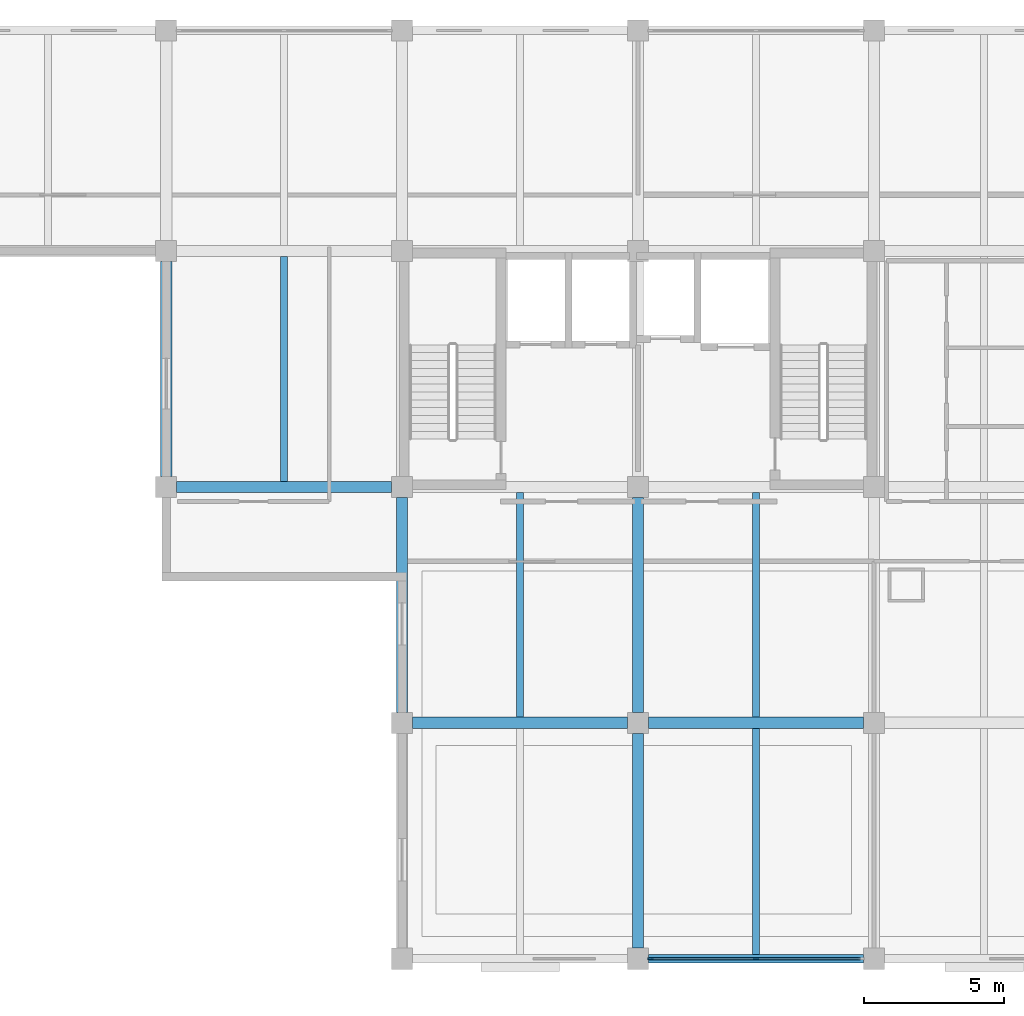
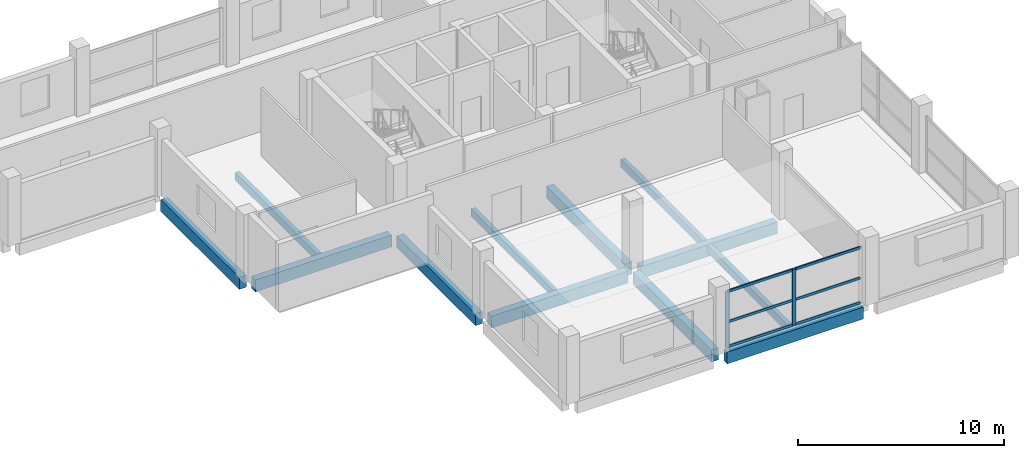
# One storey, part 2 of 9: 12 beams, 8 members, 1 element without a shape of its own.
"""IFC4 building model written with IfcOpenShell, lengths in metres."""

from ifc_helpers import new_model, si_unit, direction, frame, origin, origin_2d, place, context, subcontext, project, spatial, rectangle, extrude, material, material_profile, profile_set, type_object, element, aggregate, save


model = new_model("IFC4")

# Units and contexts
model_context = context("Model", 3, precision=1e-05, world=origin(), true_north=direction((0.0, 1.0)))
body_context = subcontext(model_context, "Body", "Model", "MODEL_VIEW")
ifc_project = project(units=[si_unit("LENGTHUNIT", "METRE"), si_unit("AREAUNIT", "SQUARE_METRE"), si_unit("VOLUMEUNIT", "CUBIC_METRE"), si_unit("PLANEANGLEUNIT", "RADIAN"), si_unit("MASSUNIT", "GRAM", prefix="KILO")], contexts=[model_context])

# Site, building, storey
site_placement = place(None, origin())
site = spatial("IfcSite", under=ifc_project, at=site_placement, CompositionType="ELEMENT")
building_placement = place(site_placement, origin())
building = spatial("IfcBuilding", under=site, at=building_placement, Name="Brinegate Botanical Conservatory", CompositionType="ELEMENT")
storey_placement = place(building_placement, frame((0.0, 0.0, 48.60009765625)))
storey = spatial("IfcBuildingStorey", under=building, at=storey_placement, Name="L12", CompositionType="ELEMENT", Elevation=48.60009765625)

# Beams
ifc_material_1 = material(Name="Concrete C40/50", Category="concrete")
ifc_material_profile_1 = material_profile(ifc_material_1, rectangle(XDim=0.39990234375, YDim=0.699951171875, at=origin_2d()), Name="RC BM 400x700")
ifc_profile_set_1 = profile_set([ifc_material_profile_1], Name="Concrete C40/50")
beam_type_1 = type_object("IfcBeamType", Name="Beam_BM-T2", PredefinedType="BEAM", material=ifc_profile_set_1)
beam_1_placement = place(storey_placement, frame((139.175048828125, 86.800048828125, -0.5400390625), z_axis=(1.0, 0.0, 0.0), x_axis=(0.0, 1.0, 0.0)))
element("IfcBeam", 1, at=beam_1_placement, inside=storey, type_object=beam_type_1, Name="Beam BM-T2 L12 L:18-19", PredefinedType="BEAM", context=body_context, shape_type="SweptSolid", body=[
    extrude(rectangle(XDim=0.39990234375, YDim=0.699951171875, at=origin_2d()), origin(), (0.0, 0.0, 1.0), 7.64990234375),
])
for number, where, z_axis, x_axis, name in (
    (2, (147.574951171875, 86.800048828125, -0.5400390625), (1.0, 0.0, 0.0), (0.0, 1.0, 0.0), "Beam BM-T2 L12 L:19-20"),
    (3, (130.77490234375, 95.199951171875, -0.5400390625), (1.0, 0.0, 0.0), (0.0, 1.0, 0.0), "Beam BM-T2 L12 M:17-18"),
    (4, (130.39990234375, 95.574951171875, -0.5400390625), (0.0, 1.0, 0.0), (-1.0, 0.0, 0.0), "Beam BM-T2 L12 17:M-N"),
):
    element("IfcBeam", number, at=place(storey_placement, frame(where, z_axis=z_axis, x_axis=x_axis)), inside=storey, type_object=beam_type_1, Name=name, PredefinedType="BEAM", context=body_context, shape_type="SweptSolid", body=[
        extrude(rectangle(XDim=0.39990234375, YDim=0.699951171875, at=origin_2d()), origin(), (0.0, 0.0, 1.0), 7.650146484375),
    ])
beam_2_placement = place(storey_placement, frame((138.800048828125, 87.175048828125, -0.5400390625), z_axis=(0.0, 1.0, 0.0), x_axis=(-1.0, 0.0, 0.0)))
element("IfcBeam", 5, at=beam_2_placement, inside=storey, type_object=beam_type_1, Name="Beam BM-T2 L12 18:L-M", PredefinedType="BEAM", context=body_context, shape_type="SweptSolid", body=[
    extrude(rectangle(XDim=0.39990234375, YDim=0.699951171875, at=origin_2d()), origin(), (0.0, 0.0, 1.0), 7.64990234375),
])
beam_3_placement = place(storey_placement, frame((147.199951171875, 78.77490234375, -0.5400390625), z_axis=(0.0, 1.0, 0.0), x_axis=(-1.0, 0.0, 0.0)))
element("IfcBeam", 6, at=beam_3_placement, inside=storey, type_object=beam_type_1, Name="Beam BM-T2 L12 19:K-L", PredefinedType="BEAM", context=body_context, shape_type="SweptSolid", body=[
    extrude(rectangle(XDim=0.39990234375, YDim=0.699951171875, at=origin_2d()), origin(), (0.0, 0.0, 1.0), 7.650146484375),
])
beam_4_placement = place(storey_placement, frame((147.199951171875, 87.175048828125, -0.5400390625), z_axis=(0.0, 1.0, 0.0), x_axis=(-1.0, 0.0, 0.0)))
element("IfcBeam", 7, at=beam_4_placement, inside=storey, type_object=beam_type_1, Name="Beam BM-T2 L12 19:L-M", PredefinedType="BEAM", context=body_context, shape_type="SweptSolid", body=[
    extrude(rectangle(XDim=0.39990234375, YDim=0.699951171875, at=origin_2d()), origin(), (0.0, 0.0, 1.0), 7.64990234375),
])
ifc_material_profile_2 = material_profile(ifc_material_1, rectangle(XDim=0.25, YDim=0.449951171875, at=origin_2d()), Name="RC JST 250x450")
ifc_profile_set_2 = profile_set([ifc_material_profile_2], Name="Concrete C40/50")
beam_type_2 = type_object("IfcBeamType", Name="Beam_JS-C3", PredefinedType="JOIST", material=ifc_profile_set_2)
for number, where, z_axis, x_axis, name in (
    (8, (134.60009765625, 95.39990234375, -0.4150390625), (0.0, 1.0, 0.0), (-1.0, 0.0, 0.0), "Floor joist JS-C3 L12 bay 17.12"),
    (9, (143.0, 87.0, -0.4150390625), (0.0, 1.0, 0.0), (-1.0, 0.0, 0.0), "Floor joist JS-C3 L12 bay 18.11"),
):
    element("IfcBeam", number, at=place(storey_placement, frame(where, z_axis=z_axis, x_axis=x_axis)), inside=storey, type_object=beam_type_2, Name=name, PredefinedType="JOIST", context=body_context, shape_type="SweptSolid", body=[
        extrude(rectangle(XDim=0.25, YDim=0.449951171875, at=origin_2d()), origin(), (0.0, 0.0, 1.0), 8.0),
    ])
beam_5_placement = place(storey_placement, frame((151.39990234375, 78.550048828125, -0.4150390625), z_axis=(0.0, 1.0, 0.0), x_axis=(-1.0, 0.0, 0.0)))
element("IfcBeam", 10, at=beam_5_placement, inside=storey, type_object=beam_type_2, Name="Floor joist JS-C3 L12 bay 19.10", PredefinedType="JOIST", context=body_context, shape_type="SweptSolid", body=[
    extrude(rectangle(XDim=0.25, YDim=0.449951171875, at=origin_2d()), origin(), (0.0, 0.0, 1.0), 8.050048828125),
])
beam_6_placement = place(storey_placement, frame((151.39990234375, 87.0, -0.4150390625), z_axis=(0.0, 1.0, 0.0), x_axis=(-1.0, 0.0, 0.0)))
element("IfcBeam", 11, at=beam_6_placement, inside=storey, type_object=beam_type_2, Name="Floor joist JS-C3 L12 bay 19.11", PredefinedType="JOIST", context=body_context, shape_type="SweptSolid", body=[
    extrude(rectangle(XDim=0.25, YDim=0.449951171875, at=origin_2d()), origin(), (0.0, 0.0, 1.0), 8.0),
])
ifc_material_profile_3 = material_profile(ifc_material_1, rectangle(XDim=0.300048828125, YDim=0.699951171875, at=origin_2d()), Name="RC SPN 300x700")
ifc_profile_set_3 = profile_set([ifc_material_profile_3], Name="Concrete C40/50")
beam_type_3 = type_object("IfcBeamType", Name="Beam_SP-02", PredefinedType="SPANDREL", material=ifc_profile_set_3)
beam_7_placement = place(storey_placement, frame((147.574951171875, 78.39990234375, -0.5400390625), z_axis=(1.0, 0.0, 0.0), x_axis=(0.0, 1.0, 0.0)))
element("IfcBeam", 12, at=beam_7_placement, inside=storey, type_object=beam_type_3, Name="Beam SP-02 L12 K:19-20", PredefinedType="SPANDREL", context=body_context, shape_type="SweptSolid", body=[
    extrude(rectangle(XDim=0.300048828125, YDim=0.699951171875, at=origin_2d()), origin(), (0.0, 0.0, 1.0), 7.650146484375),
])

# Curtain wall, members
ifc_material_2 = material(Name="Thermally broken anodised aluminium AW-6063-T6", Category="aluminium")
curtain_wall_type = type_object("IfcCurtainWallType", Name="CW_CW-TW1", PredefinedType="USERDEFINED", material=ifc_material_2)
curtain_wall_placement = place(storey_placement, origin())
curtain_wall = element("IfcCurtainWall", 13, at=curtain_wall_placement, inside=storey, type_object=curtain_wall_type, Name="Tower south curtain wall L12.2", ObjectType="FACTORY CURTAIN WALL", PredefinedType="USERDEFINED")
ifc_material_profile_4 = material_profile(ifc_material_2, rectangle(XDim=0.070068359375, YDim=0.199951171875, at=origin_2d()), Name="ALUM MULLION 70x200")
ifc_profile_set_4 = profile_set([ifc_material_profile_4], Name="Thermally broken anodised aluminium AW-6063-T6")
member_type_1 = type_object("IfcMemberType", Name="Member_ML-03", PredefinedType="MULLION", material=ifc_profile_set_4)
member_1_placement = place(storey_placement, frame((151.39990234375, 78.39990234375, 0.0), z_axis=(0.0, 0.0, 1.0), x_axis=(0.0, -1.0, 0.0)))
member_1 = element("IfcMember", 14, at=member_1_placement, type_object=member_type_1, Name="CW-TW1 mullion 2", PredefinedType="MULLION", context=body_context, shape_type="SweptSolid", body=[
    extrude(rectangle(XDim=0.070068359375, YDim=0.199951171875, at=origin_2d()), origin(), (0.0, 0.0, 1.0), 3.329833984375),
])
member_2_placement = place(storey_placement, frame((147.64990234375, 78.39990234375, 0.0), z_axis=(0.0, 0.0, 1.0), x_axis=(0.0, -1.0, 0.0)))
member_2 = element("IfcMember", 15, at=member_2_placement, type_object=member_type_1, Name="CW-TW1 mullion 3", PredefinedType="MULLION", context=body_context, shape_type="SweptSolid", body=[
    extrude(rectangle(XDim=0.070068359375, YDim=0.199951171875, at=origin_2d()), origin(), (0.0, 0.0, 1.0), 3.329833984375),
])
ifc_material_profile_5 = material_profile(ifc_material_2, rectangle(XDim=0.070068359375, YDim=0.14990234375, at=origin_2d()), Name="ALUM TRANSOM 70x150")
ifc_profile_set_5 = profile_set([ifc_material_profile_5], Name="Thermally broken anodised aluminium AW-6063-T6")
member_type_2 = type_object("IfcMemberType", Name="Member_TR-03", PredefinedType="USERDEFINED", material=ifc_profile_set_5)
member_3_placement = place(storey_placement, frame((155.114990234375, 78.39990234375, 0.034912109375), z_axis=(-1.0, 0.0, 0.0), x_axis=(0.0, -1.0, 0.0)))
member_3 = element("IfcMember", 16, at=member_3_placement, type_object=member_type_2, Name="CW-TW1 transom 1.1", ObjectType="TRANSOM", PredefinedType="USERDEFINED", context=body_context, shape_type="SweptSolid", body=[
    extrude(rectangle(XDim=0.070068359375, YDim=0.14990234375, at=origin_2d()), origin(), (0.0, 0.0, 1.0), 3.679931640625),
])
member_4_placement = place(storey_placement, frame((155.114990234375, 78.39990234375, 1.4990234375), z_axis=(-1.0, 0.0, 0.0), x_axis=(0.0, -1.0, 0.0)))
member_4 = element("IfcMember", 17, at=member_4_placement, type_object=member_type_2, Name="CW-TW1 transom 1.2", ObjectType="TRANSOM", PredefinedType="USERDEFINED", context=body_context, shape_type="SweptSolid", body=[
    extrude(rectangle(XDim=0.070068359375, YDim=0.14990234375, at=origin_2d()), origin(), (0.0, 0.0, 1.0), 3.679931640625),
])
member_5_placement = place(storey_placement, frame((155.114990234375, 78.39990234375, 3.294921875), z_axis=(-1.0, 0.0, 0.0), x_axis=(0.0, -1.0, 0.0)))
member_5 = element("IfcMember", 18, at=member_5_placement, type_object=member_type_2, Name="CW-TW1 transom 1.3", ObjectType="TRANSOM", PredefinedType="USERDEFINED", context=body_context, shape_type="SweptSolid", body=[
    extrude(rectangle(XDim=0.070068359375, YDim=0.14990234375, at=origin_2d()), origin(), (0.0, 0.0, 1.0), 3.679931640625),
])
member_6_placement = place(storey_placement, frame((151.364990234375, 78.39990234375, 0.034912109375), z_axis=(-1.0, 0.0, 0.0), x_axis=(0.0, -1.0, 0.0)))
member_6 = element("IfcMember", 19, at=member_6_placement, type_object=member_type_2, Name="CW-TW1 transom 2.1", ObjectType="TRANSOM", PredefinedType="USERDEFINED", context=body_context, shape_type="SweptSolid", body=[
    extrude(rectangle(XDim=0.070068359375, YDim=0.14990234375, at=origin_2d()), origin(), (0.0, 0.0, 1.0), 3.679931640625),
])
member_7_placement = place(storey_placement, frame((151.364990234375, 78.39990234375, 1.4990234375), z_axis=(-1.0, 0.0, 0.0), x_axis=(0.0, -1.0, 0.0)))
member_7 = element("IfcMember", 20, at=member_7_placement, type_object=member_type_2, Name="CW-TW1 transom 2.2", ObjectType="TRANSOM", PredefinedType="USERDEFINED", context=body_context, shape_type="SweptSolid", body=[
    extrude(rectangle(XDim=0.070068359375, YDim=0.14990234375, at=origin_2d()), origin(), (0.0, 0.0, 1.0), 3.679931640625),
])
member_8_placement = place(storey_placement, frame((151.364990234375, 78.39990234375, 3.294921875), z_axis=(-1.0, 0.0, 0.0), x_axis=(0.0, -1.0, 0.0)))
member_8 = element("IfcMember", 21, at=member_8_placement, type_object=member_type_2, Name="CW-TW1 transom 2.3", ObjectType="TRANSOM", PredefinedType="USERDEFINED", context=body_context, shape_type="SweptSolid", body=[
    extrude(rectangle(XDim=0.070068359375, YDim=0.14990234375, at=origin_2d()), origin(), (0.0, 0.0, 1.0), 3.679931640625),
])
aggregate(curtain_wall, [member_1, member_2, member_3, member_4, member_5, member_6, member_7, member_8])

save(model, "model.ifc")
